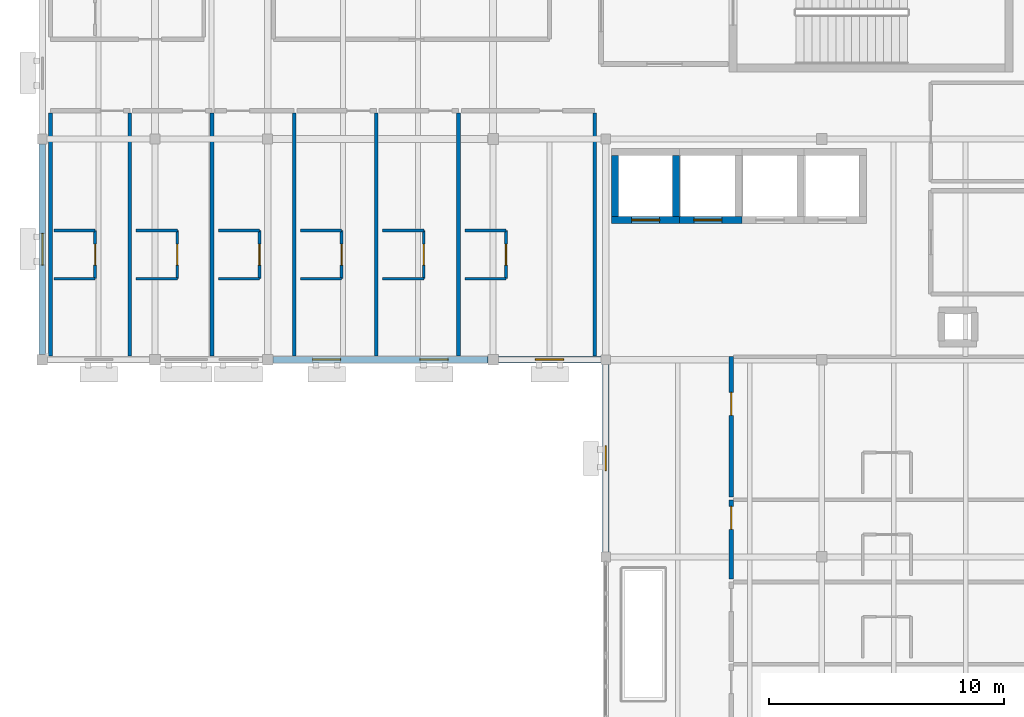
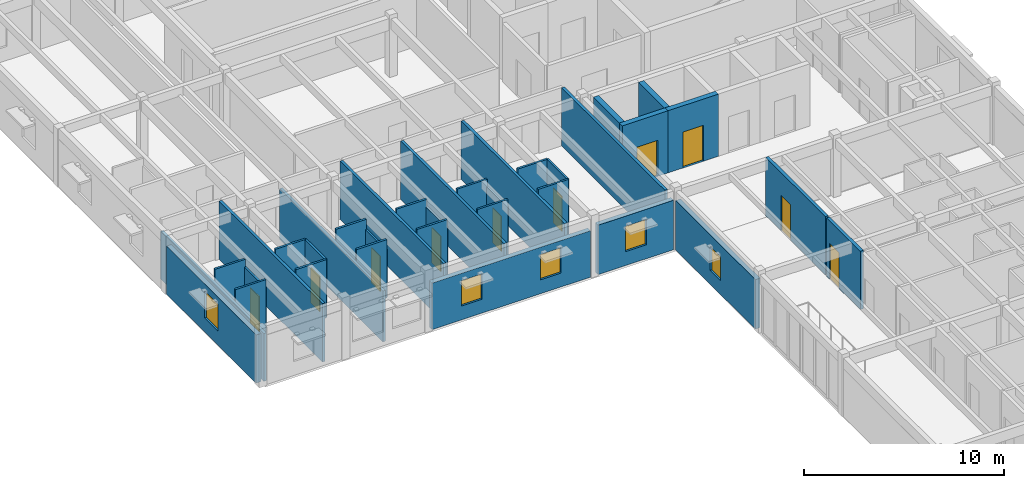
# One storey, part 8 of 17: 35 walls, 10 doors, 5 windows, 15 openings.
"""IFC4 building model written with IfcOpenShell, lengths in metres."""

from ifc_helpers import new_model, si_unit, direction, frame, frame_2d, origin, place, context, subcontext, project, spatial, rectangle, extrude, material, layer, layer_set, type_object, element, fill, save


model = new_model("IFC4")

# Units and contexts
model_context = context("Model", 3, precision=1e-05, world=origin(), true_north=direction((0.0, 1.0)))
body_context = subcontext(model_context, "Body", "Model", "MODEL_VIEW")
ifc_project = project(units=[si_unit("LENGTHUNIT", "METRE"), si_unit("AREAUNIT", "SQUARE_METRE"), si_unit("VOLUMEUNIT", "CUBIC_METRE"), si_unit("PLANEANGLEUNIT", "RADIAN"), si_unit("MASSUNIT", "GRAM", prefix="KILO")], contexts=[model_context])

# Site, building, storey
site_placement = place(None, origin())
site = spatial("IfcSite", under=ifc_project, at=site_placement, CompositionType="ELEMENT")
building_placement = place(site_placement, origin())
building = spatial("IfcBuilding", under=site, at=building_placement, Name="Veldera Park Congress Hotel", CompositionType="ELEMENT")
storey_placement = place(building_placement, frame((0.0, 0.0, 35.199951171875)))
storey = spatial("IfcBuildingStorey", under=building, at=storey_placement, Name="L08", CompositionType="ELEMENT", Elevation=35.199951171875)

# Wall, opening, window
ifc_material_1 = material(Name="Cross-laminated timber CLT V2M1.1", Category="wood")
ifc_layer_1 = layer(ifc_material_1, 0.280029296875)
ifc_layer_set_1 = layer_set([ifc_layer_1], Name="Cross-laminated timber CLT V2M1.1")
wall_type_1 = type_object("IfcWallType", Name="EW-CLT280", PredefinedType="STANDARD", material=ifc_layer_set_1)
wall_1_placement = place(storey_placement, frame((41.60009765625, 36.19189453125, 0.0), z_axis=(0.0, 0.0, 1.0), x_axis=(0.0, -1.0, 0.0)))
wall_1 = element("IfcWall", 1, at=wall_1_placement, inside=storey, type_object=wall_type_1, Name="L08 Exterior Wall EW3-L08-0387", PredefinedType="STANDARD", context=body_context, shape_type="SweptSolid", body=[
    extrude(rectangle(XDim=8.968994140625, YDim=0.280029296875, at=frame_2d((4.484375, 0.0))), origin(), (0.0, 0.0, 1.0), 2.93994140625),
])
opening_1_placement = place(wall_1_placement, frame((3.8095703125, 0.0, 0.85009765625)))
opening_1 = element("IfcOpeningElement", 2, at=opening_1_placement, cuts=wall_1, Name="Opening WIN-1350", PredefinedType="OPENING", context=body_context, shape_type="SweptSolid", body=[
    extrude(rectangle(XDim=1.35009765625, YDim=1.64990234375, at=frame_2d((0.675048828125, 0.824951171875))), frame((0.0, 0.152099609375, 0.0), z_axis=(0.0, -1.0, 0.0), x_axis=(1.0, 0.0, 0.0)), (0.0, 0.0, 1.0), 0.303955078125),
])
ifc_material_2 = material(Name="Low-E Triple Insulating Glass Unit (SHGC 0.22)", Category="glass")
window_type_1 = type_object("IfcWindowType", Name="WIN-1350", PartitioningType="SINGLE_PANEL", PredefinedType="WINDOW", material=ifc_material_2)
window_1_placement = place(opening_1_placement, origin())
window_1 = element("IfcWindow", 3, at=window_1_placement, inside=storey, type_object=window_type_1, Name="L08 Window WIN-1350 298", OverallHeight=1.64990234375, OverallWidth=1.35009765625, PartitioningType="SINGLE_PANEL", PredefinedType="WINDOW", context=body_context, shape_type="SweptSolid", body=[
    extrude(rectangle(XDim=1.35009765625, YDim=1.64990234375, at=frame_2d((0.675048828125, 0.824951171875))), frame((0.0, 0.030029296875, 0.0), z_axis=(0.0, -1.0, 0.0), x_axis=(1.0, 0.0, 0.0)), (0.0, 0.0, 1.0), 0.06005859375),
])
fill(opening_1, window_1)

# Wall, openings, windows
wall_2_placement = place(storey_placement, frame((51.423095703125, 27.0, 0.0), z_axis=(0.0, 0.0, 1.0), x_axis=(1.0, 0.0, 0.0)))
wall_2 = element("IfcWall", 4, at=wall_2_placement, inside=storey, type_object=wall_type_1, Name="L08 Exterior Wall EW3-L08-0390", PredefinedType="STANDARD", context=body_context, shape_type="SweptSolid", body=[
    extrude(rectangle(XDim=9.15380859375, YDim=0.280029296875, at=frame_2d((4.576904296875, 0.0))), origin(), (0.0, 0.0, 1.0), 2.840087890625),
])
opening_2_placement = place(wall_2_placement, frame((1.6884765625, 0.0, 0.85009765625)))
opening_2 = element("IfcOpeningElement", 5, at=opening_2_placement, cuts=wall_2, Name="Opening WIN-1200", PredefinedType="OPENING", context=body_context, shape_type="SweptSolid", body=[
    extrude(rectangle(XDim=1.199951171875, YDim=1.550048828125, at=frame_2d((0.60009765625, 0.77490234375))), frame((0.0, 0.152099609375, 0.0), z_axis=(0.0, -1.0, 0.0), x_axis=(1.0, 0.0, 0.0)), (0.0, 0.0, 1.0), 0.303955078125),
])
opening_3_placement = place(wall_2_placement, frame((6.265380859375, 0.0, 0.85009765625)))
opening_3 = element("IfcOpeningElement", 6, at=opening_3_placement, cuts=wall_2, Name="Opening WIN-1200", PredefinedType="OPENING", context=body_context, shape_type="SweptSolid", body=[
    extrude(rectangle(XDim=1.199951171875, YDim=1.550048828125, at=frame_2d((0.60009765625, 0.77490234375))), frame((0.0, 0.152099609375, 0.0), z_axis=(0.0, -1.0, 0.0), x_axis=(1.0, 0.0, 0.0)), (0.0, 0.0, 1.0), 0.303955078125),
])
window_type_2 = type_object("IfcWindowType", Name="WIN-1200", PartitioningType="SINGLE_PANEL", PredefinedType="WINDOW", material=ifc_material_2)
window_2_placement = place(opening_2_placement, origin())
window_2 = element("IfcWindow", 7, at=window_2_placement, inside=storey, type_object=window_type_2, Name="L08 Window WIN-1200 300", OverallHeight=1.550048828125, OverallWidth=1.199951171875, PartitioningType="SINGLE_PANEL", PredefinedType="WINDOW", context=body_context, shape_type="SweptSolid", body=[
    extrude(rectangle(XDim=1.199951171875, YDim=1.550048828125, at=frame_2d((0.60009765625, 0.77490234375))), frame((0.0, 0.030029296875, 0.0), z_axis=(0.0, -1.0, 0.0), x_axis=(1.0, 0.0, 0.0)), (0.0, 0.0, 1.0), 0.06005859375),
])
fill(opening_2, window_2)
window_3_placement = place(opening_3_placement, origin())
window_3 = element("IfcWindow", 8, at=window_3_placement, inside=storey, type_object=window_type_2, Name="L08 Window WIN-1200 301", OverallHeight=1.550048828125, OverallWidth=1.199951171875, PartitioningType="SINGLE_PANEL", PredefinedType="WINDOW", context=body_context, shape_type="SweptSolid", body=[
    extrude(rectangle(XDim=1.199951171875, YDim=1.550048828125, at=frame_2d((0.60009765625, 0.77490234375))), frame((0.0, 0.030029296875, 0.0), z_axis=(0.0, -1.0, 0.0), x_axis=(1.0, 0.0, 0.0)), (0.0, 0.0, 1.0), 0.06005859375),
])
fill(opening_3, window_3)

# Wall, opening, window
wall_3_placement = place(storey_placement, frame((61.02294921875, 27.0, 0.0), z_axis=(0.0, 0.0, 1.0), x_axis=(1.0, 0.0, 0.0)))
wall_3 = element("IfcWall", 9, at=wall_3_placement, inside=storey, type_object=wall_type_1, Name="L08 Exterior Wall EW3-L08-0391", PredefinedType="STANDARD", context=body_context, shape_type="SweptSolid", body=[
    extrude(rectangle(XDim=4.369140625, YDim=0.280029296875, at=frame_2d((2.1845703125, 0.0))), origin(), (0.0, 0.0, 1.0), 3.02001953125),
])
opening_4_placement = place(wall_3_placement, frame((1.58447265625, 0.0, 0.85009765625)))
opening_4 = element("IfcOpeningElement", 10, at=opening_4_placement, cuts=wall_3, Name="Opening WIN-1200", PredefinedType="OPENING", context=body_context, shape_type="SweptSolid", body=[
    extrude(rectangle(XDim=1.199951171875, YDim=1.550048828125, at=frame_2d((0.60009765625, 0.77490234375))), frame((0.0, 0.152099609375, 0.0), z_axis=(0.0, -1.0, 0.0), x_axis=(1.0, 0.0, 0.0)), (0.0, 0.0, 1.0), 0.303955078125),
])
window_4_placement = place(opening_4_placement, origin())
window_4 = element("IfcWindow", 11, at=window_4_placement, inside=storey, type_object=window_type_2, Name="L08 Window WIN-1200 302", OverallHeight=1.550048828125, OverallWidth=1.199951171875, PartitioningType="SINGLE_PANEL", PredefinedType="WINDOW", context=body_context, shape_type="SweptSolid", body=[
    extrude(rectangle(XDim=1.199951171875, YDim=1.550048828125, at=frame_2d((0.60009765625, 0.77490234375))), frame((0.0, 0.030029296875, 0.0), z_axis=(0.0, -1.0, 0.0), x_axis=(1.0, 0.0, 0.0)), (0.0, 0.0, 1.0), 0.06005859375),
])
fill(opening_4, window_4)

wall_4_placement = place(storey_placement, frame((65.60009765625, 26.7919921875, 0.0), z_axis=(0.0, 0.0, 1.0), x_axis=(0.0, -1.0, 0.0)))
wall_4 = element("IfcWall", 12, at=wall_4_placement, inside=storey, type_object=wall_type_1, Name="L08 Exterior Wall EW3-L08-0392", PredefinedType="STANDARD", context=body_context, shape_type="SweptSolid", body=[
    extrude(rectangle(XDim=7.98388671875, YDim=0.280029296875, at=frame_2d((3.991943359375, 0.0))), origin(), (0.0, 0.0, 1.0), 3.02001953125),
])
opening_5_placement = place(wall_4_placement, frame((3.467041015625, 0.0, 0.85009765625)))
opening_5 = element("IfcOpeningElement", 13, at=opening_5_placement, cuts=wall_4, Name="Opening WIN-1050", PredefinedType="OPENING", context=body_context, shape_type="SweptSolid", body=[
    extrude(rectangle(XDim=1.050048828125, YDim=1.449951171875, at=frame_2d((0.52490234375, 0.72509765625))), frame((0.0, 0.152099609375, 0.0), z_axis=(0.0, -1.0, 0.0), x_axis=(1.0, 0.0, 0.0)), (0.0, 0.0, 1.0), 0.303955078125),
])
window_type_3 = type_object("IfcWindowType", Name="WIN-1050", PartitioningType="SINGLE_PANEL", PredefinedType="WINDOW", material=ifc_material_2)
window_5_placement = place(opening_5_placement, origin())
window_5 = element("IfcWindow", 14, at=window_5_placement, inside=storey, type_object=window_type_3, Name="L08 Window WIN-1050 303", OverallHeight=1.449951171875, OverallWidth=1.050048828125, PartitioningType="SINGLE_PANEL", PredefinedType="WINDOW", context=body_context, shape_type="SweptSolid", body=[
    extrude(rectangle(XDim=1.050048828125, YDim=1.449951171875, at=frame_2d((0.52490234375, 0.72509765625))), frame((0.0, 0.030029296875, 0.0), z_axis=(0.0, -1.0, 0.0), x_axis=(1.0, 0.0, 0.0)), (0.0, 0.0, 1.0), 0.06005859375),
])
fill(opening_5, window_5)

# Wall
ifc_material_3 = material(Name="Fire-Rated Gypsum Board on Cold-Formed Steel Studs", Category="steel")
ifc_layer_2 = layer(ifc_material_3, 0.1201171875)
ifc_layer_set_2 = layer_set([ifc_layer_2], Name="Fire-Rated Gypsum Board on Cold-Formed Steel Studs")
wall_type_2 = type_object("IfcWallType", Name="IW-BATH120", PredefinedType="PARTITIONING", material=ifc_layer_set_2)
wall_5_placement = place(storey_placement, frame((42.10009765625, 32.5, 0.0), z_axis=(0.0, 0.0, 1.0), x_axis=(1.0, 0.0, 0.0)))
element("IfcWall", 15, at=wall_5_placement, inside=storey, type_object=wall_type_2, Name="L08 Partition Wall IW3-L08-01538", PredefinedType="PARTITIONING", context=body_context, shape_type="SweptSolid", body=[
    extrude(rectangle(XDim=1.75, YDim=0.1201171875, at=frame_2d((0.875, 0.0))), origin(), (0.0, 0.0, 1.0), 3.56494140625),
])

# Wall, opening, door
wall_6_placement = place(storey_placement, frame((43.85009765625, 30.449951171875, 0.0), z_axis=(0.0, 0.0, 1.0), x_axis=(0.0, 1.0, 0.0)))
wall_6 = element("IfcWall", 16, at=wall_6_placement, inside=storey, type_object=wall_type_2, Name="L08 Partition Wall IW3-L08-01539", PredefinedType="PARTITIONING", context=body_context, shape_type="SweptSolid", body=[
    extrude(rectangle(XDim=2.050048828125, YDim=0.1201171875, at=frame_2d((1.02490234375, 0.0))), origin(), (0.0, 0.0, 1.0), 3.110107421875),
])
opening_6_placement = place(wall_6_placement, frame((0.574951171875, 0.0, 0.0)))
opening_6 = element("IfcOpeningElement", 17, at=opening_6_placement, cuts=wall_6, Name="Opening ID-BATH090", PredefinedType="OPENING", context=body_context, shape_type="SweptSolid", body=[
    extrude(rectangle(XDim=0.89990234375, YDim=2.14990234375, at=frame_2d((0.449951171875, 1.074951171875))), frame((0.0, 0.072021484375, 0.0), z_axis=(0.0, -1.0, 0.0), x_axis=(1.0, 0.0, 0.0)), (0.0, 0.0, 1.0), 0.14404296875),
])
ifc_material_4 = material(Name="Solid Core White Oak Architectural Door", Category="wood")
door_type_1 = type_object("IfcDoorType", Name="ID-BATH090", OperationType="NOTDEFINED", PredefinedType="DOOR", material=ifc_material_4)
door_1_placement = place(opening_6_placement, origin())
door_1 = element("IfcDoor", 18, at=door_1_placement, inside=storey, type_object=door_type_1, Name="L08 En-suite 248 Door ID3-L08-0635 (DR3-ID3-L08-0635)", OperationType="SINGLE_SWING_LEFT", OverallHeight=2.14990234375, OverallWidth=0.89990234375, PredefinedType="DOOR", context=body_context, shape_type="SweptSolid", body=[
    extrude(rectangle(XDim=0.89990234375, YDim=2.14990234375, at=frame_2d((0.449951171875, 1.074951171875))), frame((0.0, 0.02490234375, 0.0), z_axis=(0.0, -1.0, 0.0), x_axis=(1.0, 0.0, 0.0)), (0.0, 0.0, 1.0), 0.050048828125),
])
fill(opening_6, door_1)

# Walls
for number, where, z_axis, x_axis, name in (
    (19, (42.10009765625, 30.449951171875, 0.0), (0.0, 0.0, 1.0), (1.0, 0.0, 0.0), "L08 Partition Wall IW3-L08-01540"),
    (20, (45.60009765625, 32.5, 0.0), (0.0, 0.0, 1.0), (1.0, 0.0, 0.0), "L08 Partition Wall IW3-L08-01543"),
):
    element("IfcWall", number, at=place(storey_placement, frame(where, z_axis=z_axis, x_axis=x_axis)), inside=storey, type_object=wall_type_2, Name=name, PredefinedType="PARTITIONING", context=body_context, shape_type="SweptSolid", body=[
        extrude(rectangle(XDim=1.75, YDim=0.1201171875, at=frame_2d((0.875, 0.0))), origin(), (0.0, 0.0, 1.0), 3.56494140625),
    ])

# Wall, opening, door
wall_7_placement = place(storey_placement, frame((47.35009765625, 30.449951171875, 0.0), z_axis=(0.0, 0.0, 1.0), x_axis=(0.0, 1.0, 0.0)))
wall_7 = element("IfcWall", 21, at=wall_7_placement, inside=storey, type_object=wall_type_2, Name="L08 Partition Wall IW3-L08-01544", PredefinedType="PARTITIONING", context=body_context, shape_type="SweptSolid", body=[
    extrude(rectangle(XDim=2.050048828125, YDim=0.1201171875, at=frame_2d((1.02490234375, 0.0))), origin(), (0.0, 0.0, 1.0), 3.56494140625),
])
opening_7_placement = place(wall_7_placement, frame((0.574951171875, 0.0, 0.0)))
opening_7 = element("IfcOpeningElement", 22, at=opening_7_placement, cuts=wall_7, Name="Opening ID-BATH090", PredefinedType="OPENING", context=body_context, shape_type="SweptSolid", body=[
    extrude(rectangle(XDim=0.89990234375, YDim=2.14990234375, at=frame_2d((0.449951171875, 1.074951171875))), frame((0.0, 0.072021484375, 0.0), z_axis=(0.0, -1.0, 0.0), x_axis=(1.0, 0.0, 0.0)), (0.0, 0.0, 1.0), 0.14404296875),
])
door_2_placement = place(opening_7_placement, origin())
door_2 = element("IfcDoor", 23, at=door_2_placement, inside=storey, type_object=door_type_1, Name="L08 En-suite 249 Door ID3-L08-0637 (DR3-ID3-L08-0637)", OperationType="SINGLE_SWING_LEFT", OverallHeight=2.14990234375, OverallWidth=0.89990234375, PredefinedType="DOOR", context=body_context, shape_type="SweptSolid", body=[
    extrude(rectangle(XDim=0.89990234375, YDim=2.14990234375, at=frame_2d((0.449951171875, 1.074951171875))), frame((0.0, 0.02490234375, 0.0), z_axis=(0.0, -1.0, 0.0), x_axis=(1.0, 0.0, 0.0)), (0.0, 0.0, 1.0), 0.050048828125),
])
fill(opening_7, door_2)

# Walls
for number, where, z_axis, x_axis, name in (
    (24, (45.60009765625, 30.449951171875, 0.0), (0.0, 0.0, 1.0), (1.0, 0.0, 0.0), "L08 Partition Wall IW3-L08-01545"),
    (25, (49.10009765625, 32.5, 0.0), (0.0, 0.0, 1.0), (1.0, 0.0, 0.0), "L08 Partition Wall IW3-L08-01548"),
):
    element("IfcWall", number, at=place(storey_placement, frame(where, z_axis=z_axis, x_axis=x_axis)), inside=storey, type_object=wall_type_2, Name=name, PredefinedType="PARTITIONING", context=body_context, shape_type="SweptSolid", body=[
        extrude(rectangle(XDim=1.75, YDim=0.1201171875, at=frame_2d((0.875, 0.0))), origin(), (0.0, 0.0, 1.0), 3.56494140625),
    ])

# Wall, opening, door
wall_8_placement = place(storey_placement, frame((50.85009765625, 30.449951171875, 0.0), z_axis=(0.0, 0.0, 1.0), x_axis=(0.0, 1.0, 0.0)))
wall_8 = element("IfcWall", 26, at=wall_8_placement, inside=storey, type_object=wall_type_2, Name="L08 Partition Wall IW3-L08-01549", PredefinedType="PARTITIONING", context=body_context, shape_type="SweptSolid", body=[
    extrude(rectangle(XDim=2.050048828125, YDim=0.1201171875, at=frame_2d((1.02490234375, 0.0))), origin(), (0.0, 0.0, 1.0), 2.93994140625),
])
opening_8_placement = place(wall_8_placement, frame((0.574951171875, 0.0, 0.0)))
opening_8 = element("IfcOpeningElement", 27, at=opening_8_placement, cuts=wall_8, Name="Opening ID-BATH090", PredefinedType="OPENING", context=body_context, shape_type="SweptSolid", body=[
    extrude(rectangle(XDim=0.89990234375, YDim=2.14990234375, at=frame_2d((0.449951171875, 1.074951171875))), frame((0.0, 0.072021484375, 0.0), z_axis=(0.0, -1.0, 0.0), x_axis=(1.0, 0.0, 0.0)), (0.0, 0.0, 1.0), 0.14404296875),
])
door_3_placement = place(opening_8_placement, origin())
door_3 = element("IfcDoor", 28, at=door_3_placement, inside=storey, type_object=door_type_1, Name="L08 En-suite 250 Door ID3-L08-0639 (DR3-ID3-L08-0639)", OperationType="SINGLE_SWING_LEFT", OverallHeight=2.14990234375, OverallWidth=0.89990234375, PredefinedType="DOOR", context=body_context, shape_type="SweptSolid", body=[
    extrude(rectangle(XDim=0.89990234375, YDim=2.14990234375, at=frame_2d((0.449951171875, 1.074951171875))), frame((0.0, 0.02490234375, 0.0), z_axis=(0.0, -1.0, 0.0), x_axis=(1.0, 0.0, 0.0)), (0.0, 0.0, 1.0), 0.050048828125),
])
fill(opening_8, door_3)

# Walls
for number, where, z_axis, x_axis, name in (
    (29, (49.10009765625, 30.449951171875, 0.0), (0.0, 0.0, 1.0), (1.0, 0.0, 0.0), "L08 Partition Wall IW3-L08-01550"),
    (30, (52.60009765625, 32.5, 0.0), (0.0, 0.0, 1.0), (1.0, 0.0, 0.0), "L08 Partition Wall IW3-L08-01553"),
):
    element("IfcWall", number, at=place(storey_placement, frame(where, z_axis=z_axis, x_axis=x_axis)), inside=storey, type_object=wall_type_2, Name=name, PredefinedType="PARTITIONING", context=body_context, shape_type="SweptSolid", body=[
        extrude(rectangle(XDim=1.75, YDim=0.1201171875, at=frame_2d((0.875, 0.0))), origin(), (0.0, 0.0, 1.0), 3.56494140625),
    ])

# Wall, opening, door
wall_9_placement = place(storey_placement, frame((54.35009765625, 30.449951171875, 0.0), z_axis=(0.0, 0.0, 1.0), x_axis=(0.0, 1.0, 0.0)))
wall_9 = element("IfcWall", 31, at=wall_9_placement, inside=storey, type_object=wall_type_2, Name="L08 Partition Wall IW3-L08-01554", PredefinedType="PARTITIONING", context=body_context, shape_type="SweptSolid", body=[
    extrude(rectangle(XDim=2.050048828125, YDim=0.1201171875, at=frame_2d((1.02490234375, 0.0))), origin(), (0.0, 0.0, 1.0), 3.110107421875),
])
opening_9_placement = place(wall_9_placement, frame((0.574951171875, 0.0, 0.0)))
opening_9 = element("IfcOpeningElement", 32, at=opening_9_placement, cuts=wall_9, Name="Opening ID-BATH090", PredefinedType="OPENING", context=body_context, shape_type="SweptSolid", body=[
    extrude(rectangle(XDim=0.89990234375, YDim=2.14990234375, at=frame_2d((0.449951171875, 1.074951171875))), frame((0.0, 0.072021484375, 0.0), z_axis=(0.0, -1.0, 0.0), x_axis=(1.0, 0.0, 0.0)), (0.0, 0.0, 1.0), 0.14404296875),
])
door_4_placement = place(opening_9_placement, origin())
door_4 = element("IfcDoor", 33, at=door_4_placement, inside=storey, type_object=door_type_1, Name="L08 En-suite 251 Door ID3-L08-0641 (DR3-ID3-L08-0641)", OperationType="SINGLE_SWING_LEFT", OverallHeight=2.14990234375, OverallWidth=0.89990234375, PredefinedType="DOOR", context=body_context, shape_type="SweptSolid", body=[
    extrude(rectangle(XDim=0.89990234375, YDim=2.14990234375, at=frame_2d((0.449951171875, 1.074951171875))), frame((0.0, 0.02490234375, 0.0), z_axis=(0.0, -1.0, 0.0), x_axis=(1.0, 0.0, 0.0)), (0.0, 0.0, 1.0), 0.050048828125),
])
fill(opening_9, door_4)

# Walls
for number, where, z_axis, x_axis, name in (
    (34, (52.60009765625, 30.449951171875, 0.0), (0.0, 0.0, 1.0), (1.0, 0.0, 0.0), "L08 Partition Wall IW3-L08-01555"),
    (35, (56.10009765625, 32.5, 0.0), (0.0, 0.0, 1.0), (1.0, 0.0, 0.0), "L08 Partition Wall IW3-L08-01558"),
):
    element("IfcWall", number, at=place(storey_placement, frame(where, z_axis=z_axis, x_axis=x_axis)), inside=storey, type_object=wall_type_2, Name=name, PredefinedType="PARTITIONING", context=body_context, shape_type="SweptSolid", body=[
        extrude(rectangle(XDim=1.75, YDim=0.1201171875, at=frame_2d((0.875, 0.0))), origin(), (0.0, 0.0, 1.0), 3.56494140625),
    ])

# Wall, opening, door
wall_10_placement = place(storey_placement, frame((57.85009765625, 30.449951171875, 0.0), z_axis=(0.0, 0.0, 1.0), x_axis=(0.0, 1.0, 0.0)))
wall_10 = element("IfcWall", 36, at=wall_10_placement, inside=storey, type_object=wall_type_2, Name="L08 Partition Wall IW3-L08-01559", PredefinedType="PARTITIONING", context=body_context, shape_type="SweptSolid", body=[
    extrude(rectangle(XDim=2.050048828125, YDim=0.1201171875, at=frame_2d((1.02490234375, 0.0))), origin(), (0.0, 0.0, 1.0), 3.110107421875),
])
opening_10_placement = place(wall_10_placement, frame((0.574951171875, 0.0, 0.0)))
opening_10 = element("IfcOpeningElement", 37, at=opening_10_placement, cuts=wall_10, Name="Opening ID-BATH090", PredefinedType="OPENING", context=body_context, shape_type="SweptSolid", body=[
    extrude(rectangle(XDim=0.89990234375, YDim=2.14990234375, at=frame_2d((0.449951171875, 1.074951171875))), frame((0.0, 0.072021484375, 0.0), z_axis=(0.0, -1.0, 0.0), x_axis=(1.0, 0.0, 0.0)), (0.0, 0.0, 1.0), 0.14404296875),
])
door_5_placement = place(opening_10_placement, origin())
door_5 = element("IfcDoor", 38, at=door_5_placement, inside=storey, type_object=door_type_1, Name="L08 En-suite 252 Door ID3-L08-0643 (DR3-ID3-L08-0643)", OperationType="SINGLE_SWING_LEFT", OverallHeight=2.14990234375, OverallWidth=0.89990234375, PredefinedType="DOOR", context=body_context, shape_type="SweptSolid", body=[
    extrude(rectangle(XDim=0.89990234375, YDim=2.14990234375, at=frame_2d((0.449951171875, 1.074951171875))), frame((0.0, 0.02490234375, 0.0), z_axis=(0.0, -1.0, 0.0), x_axis=(1.0, 0.0, 0.0)), (0.0, 0.0, 1.0), 0.050048828125),
])
fill(opening_10, door_5)

# Walls
for number, where, z_axis, x_axis, name in (
    (39, (56.10009765625, 30.449951171875, 0.0), (0.0, 0.0, 1.0), (1.0, 0.0, 0.0), "L08 Partition Wall IW3-L08-01560"),
    (40, (59.60009765625, 32.5, 0.0), (0.0, 0.0, 1.0), (1.0, 0.0, 0.0), "L08 Partition Wall IW3-L08-01563"),
):
    element("IfcWall", number, at=place(storey_placement, frame(where, z_axis=z_axis, x_axis=x_axis)), inside=storey, type_object=wall_type_2, Name=name, PredefinedType="PARTITIONING", context=body_context, shape_type="SweptSolid", body=[
        extrude(rectangle(XDim=1.75, YDim=0.1201171875, at=frame_2d((0.875, 0.0))), origin(), (0.0, 0.0, 1.0), 3.56494140625),
    ])

# Wall, opening, door
wall_11_placement = place(storey_placement, frame((61.35009765625, 30.449951171875, 0.0), z_axis=(0.0, 0.0, 1.0), x_axis=(0.0, 1.0, 0.0)))
wall_11 = element("IfcWall", 41, at=wall_11_placement, inside=storey, type_object=wall_type_2, Name="L08 Partition Wall IW3-L08-01564", PredefinedType="PARTITIONING", context=body_context, shape_type="SweptSolid", body=[
    extrude(rectangle(XDim=2.050048828125, YDim=0.1201171875, at=frame_2d((1.02490234375, 0.0))), origin(), (0.0, 0.0, 1.0), 3.56494140625),
])
opening_11_placement = place(wall_11_placement, frame((0.574951171875, 0.0, 0.0)))
opening_11 = element("IfcOpeningElement", 42, at=opening_11_placement, cuts=wall_11, Name="Opening ID-BATH090", PredefinedType="OPENING", context=body_context, shape_type="SweptSolid", body=[
    extrude(rectangle(XDim=0.89990234375, YDim=2.14990234375, at=frame_2d((0.449951171875, 1.074951171875))), frame((0.0, 0.072021484375, 0.0), z_axis=(0.0, -1.0, 0.0), x_axis=(1.0, 0.0, 0.0)), (0.0, 0.0, 1.0), 0.14404296875),
])
door_6_placement = place(opening_11_placement, origin())
door_6 = element("IfcDoor", 43, at=door_6_placement, inside=storey, type_object=door_type_1, Name="L08 En-suite 253 Door ID3-L08-0645 (DR3-ID3-L08-0645)", OperationType="SINGLE_SWING_LEFT", OverallHeight=2.14990234375, OverallWidth=0.89990234375, PredefinedType="DOOR", context=body_context, shape_type="SweptSolid", body=[
    extrude(rectangle(XDim=0.89990234375, YDim=2.14990234375, at=frame_2d((0.449951171875, 1.074951171875))), frame((0.0, 0.02490234375, 0.0), z_axis=(0.0, -1.0, 0.0), x_axis=(1.0, 0.0, 0.0)), (0.0, 0.0, 1.0), 0.050048828125),
])
fill(opening_11, door_6)

# Wall
wall_12_placement = place(storey_placement, frame((59.60009765625, 30.449951171875, 0.0), z_axis=(0.0, 0.0, 1.0), x_axis=(1.0, 0.0, 0.0)))
element("IfcWall", 44, at=wall_12_placement, inside=storey, type_object=wall_type_2, Name="L08 Partition Wall IW3-L08-01565", PredefinedType="PARTITIONING", context=body_context, shape_type="SweptSolid", body=[
    extrude(rectangle(XDim=1.75, YDim=0.1201171875, at=frame_2d((0.875, 0.0))), origin(), (0.0, 0.0, 1.0), 3.56494140625),
])

# Wall, opening, door
ifc_layer_3 = layer(ifc_material_3, 0.179931640625)
ifc_layer_set_3 = layer_set([ifc_layer_3], Name="Fire-Rated Gypsum Board on Cold-Formed Steel Studs")
wall_type_3 = type_object("IfcWallType", Name="IW-CORR180", PredefinedType="PARTITIONING", material=ifc_layer_set_3)
wall_13_placement = place(storey_placement, frame((70.949951171875, 21.030029296875, 0.0), z_axis=(0.0, 0.0, 1.0), x_axis=(0.0, -1.0, 0.0)))
wall_13 = element("IfcWall", 45, at=wall_13_placement, inside=storey, type_object=wall_type_3, Name="L08 Corridor Wall IW3-L08-01525", PredefinedType="PARTITIONING", context=body_context, shape_type="SweptSolid", body=[
    extrude(rectangle(XDim=3.380126953125, YDim=0.179931640625, at=frame_2d((1.68994140625, 0.0))), origin(), (0.0, 0.0, 1.0), 3.56494140625),
])
opening_12_placement = place(wall_13_placement, frame((0.280029296875, 0.0, 0.0)))
opening_12 = element("IfcOpeningElement", 46, at=opening_12_placement, cuts=wall_13, Name="Opening ID-UNIT098", PredefinedType="OPENING", context=body_context, shape_type="SweptSolid", body=[
    extrude(rectangle(XDim=0.97998046875, YDim=2.179931640625, at=frame_2d((0.489990234375, 1.08984375))), frame((0.0, 0.10205078125, 0.0), z_axis=(0.0, -1.0, 0.0), x_axis=(1.0, 0.0, 0.0)), (0.0, 0.0, 1.0), 0.203857421875),
])
door_type_2 = type_object("IfcDoorType", Name="ID-UNIT098", OperationType="NOTDEFINED", PredefinedType="DOOR", material=ifc_material_4)
door_7_placement = place(opening_12_placement, origin())
door_7 = element("IfcDoor", 47, at=door_7_placement, inside=storey, type_object=door_type_2, Name="L08 Guestroom 246 Entry Door (DR3-UD3-L08-246)", OperationType="SINGLE_SWING_RIGHT", OverallHeight=2.179931640625, OverallWidth=0.97998046875, PredefinedType="DOOR", context=body_context, shape_type="SweptSolid", body=[
    extrude(rectangle(XDim=0.97998046875, YDim=2.179931640625, at=frame_2d((0.489990234375, 1.08984375))), frame((0.0, 0.02490234375, 0.0), z_axis=(0.0, -1.0, 0.0), x_axis=(1.0, 0.0, 0.0)), (0.0, 0.0, 1.0), 0.050048828125),
])
fill(opening_12, door_7)

wall_14_placement = place(storey_placement, frame((70.949951171875, 27.1298828125, 0.0), z_axis=(0.0, 0.0, 1.0), x_axis=(0.0, -1.0, 0.0)))
wall_14 = element("IfcWall", 48, at=wall_14_placement, inside=storey, type_object=wall_type_3, Name="L08 Corridor Wall IW3-L08-01530", PredefinedType="PARTITIONING", context=body_context, shape_type="SweptSolid", body=[
    extrude(rectangle(XDim=5.97998046875, YDim=0.179931640625, at=frame_2d((2.989990234375, 0.0))), origin(), (0.0, 0.0, 1.0), 3.56494140625),
])
opening_13_placement = place(wall_14_placement, frame((1.52001953125, 0.0, 0.0)))
opening_13 = element("IfcOpeningElement", 49, at=opening_13_placement, cuts=wall_14, Name="Opening ID-UNIT098", PredefinedType="OPENING", context=body_context, shape_type="SweptSolid", body=[
    extrude(rectangle(XDim=0.97998046875, YDim=2.179931640625, at=frame_2d((0.489990234375, 1.08984375))), frame((0.0, 0.10205078125, 0.0), z_axis=(0.0, -1.0, 0.0), x_axis=(1.0, 0.0, 0.0)), (0.0, 0.0, 1.0), 0.203857421875),
])
door_8_placement = place(opening_13_placement, origin())
door_8 = element("IfcDoor", 50, at=door_8_placement, inside=storey, type_object=door_type_2, Name="L08 Guestroom 247 Entry Door (DR3-UD3-L08-247)", OperationType="SINGLE_SWING_RIGHT", OverallHeight=2.179931640625, OverallWidth=0.97998046875, PredefinedType="DOOR", context=body_context, shape_type="SweptSolid", body=[
    extrude(rectangle(XDim=0.97998046875, YDim=2.179931640625, at=frame_2d((0.489990234375, 1.08984375))), frame((0.0, 0.02490234375, 0.0), z_axis=(0.0, -1.0, 0.0), x_axis=(1.0, 0.0, 0.0)), (0.0, 0.0, 1.0), 0.050048828125),
])
fill(opening_13, door_8)

# Walls
ifc_layer_4 = layer(ifc_material_1, 0.159912109375)
ifc_layer_set_4 = layer_set([ifc_layer_4], Name="Cross-laminated timber CLT V2M1.1")
wall_type_4 = type_object("IfcWallType", Name="IW-UNIT160", PredefinedType="PARTITIONING", material=ifc_layer_set_4)
wall_15_placement = place(storey_placement, frame((41.949951171875, 27.159912109375, 0.0), z_axis=(0.0, 0.0, 1.0), x_axis=(0.0, 1.0, 0.0)))
element("IfcWall", 51, at=wall_15_placement, inside=storey, type_object=wall_type_4, Name="L08 Partition Wall IW3-L08-01536", PredefinedType="PARTITIONING", context=body_context, shape_type="SweptSolid", body=[
    extrude(rectangle(XDim=10.340087890625, YDim=0.159912109375, at=frame_2d((5.169921875, 0.0))), origin(), (0.0, 0.0, 1.0), 2.920166015625),
])
wall_16_placement = place(storey_placement, frame((45.330078125, 27.159912109375, 0.0), z_axis=(0.0, 0.0, 1.0), x_axis=(0.0, 1.0, 0.0)))
element("IfcWall", 52, at=wall_16_placement, inside=storey, type_object=wall_type_4, Name="L08 Partition Wall IW3-L08-01537", PredefinedType="PARTITIONING", context=body_context, shape_type="SweptSolid", body=[
    extrude(rectangle(XDim=10.340087890625, YDim=0.159912109375, at=frame_2d((5.169921875, 0.0))), origin(), (0.0, 0.0, 1.0), 3.56494140625),
])
wall_17_placement = place(storey_placement, frame((48.830078125, 27.159912109375, 0.0), z_axis=(0.0, 0.0, 1.0), x_axis=(0.0, 1.0, 0.0)))
element("IfcWall", 53, at=wall_17_placement, inside=storey, type_object=wall_type_4, Name="L08 Partition Wall IW3-L08-01542", PredefinedType="PARTITIONING", context=body_context, shape_type="SweptSolid", body=[
    extrude(rectangle(XDim=10.340087890625, YDim=0.159912109375, at=frame_2d((5.169921875, 0.0))), origin(), (0.0, 0.0, 1.0), 3.110107421875),
])
for number, where, z_axis, x_axis, name in (
    (54, (52.330078125, 27.159912109375, 0.0), (0.0, 0.0, 1.0), (0.0, 1.0, 0.0), "L08 Partition Wall IW3-L08-01547"),
    (55, (55.830078125, 27.159912109375, 0.0), (0.0, 0.0, 1.0), (0.0, 1.0, 0.0), "L08 Partition Wall IW3-L08-01552"),
    (56, (59.330078125, 27.159912109375, 0.0), (0.0, 0.0, 1.0), (0.0, 1.0, 0.0), "L08 Partition Wall IW3-L08-01557"),
    (57, (65.1298828125, 27.159912109375, 0.0), (0.0, 0.0, 1.0), (0.0, 1.0, 0.0), "L08 Partition Wall IW3-L08-01562"),
):
    element("IfcWall", number, at=place(storey_placement, frame(where, z_axis=z_axis, x_axis=x_axis)), inside=storey, type_object=wall_type_4, Name=name, PredefinedType="PARTITIONING", context=body_context, shape_type="SweptSolid", body=[
        extrude(rectangle(XDim=10.340087890625, YDim=0.159912109375, at=frame_2d((5.169921875, 0.0))), origin(), (0.0, 0.0, 1.0), 3.56494140625),
    ])

# Wall, opening, door
ifc_material_5 = material(Name="Concrete f'c 40 MPa (5,800 psi)", Category="concrete")
ifc_layer_5 = layer(ifc_material_5, 0.300048828125)
ifc_layer_set_5 = layer_set([ifc_layer_5], Name="Concrete f'c 40 MPa (5,800 psi)")
wall_type_5 = type_object("IfcWallType", Name="SW-SHFT300", PredefinedType="SHEAR", material=ifc_layer_set_5)
wall_18_placement = place(storey_placement, frame((65.85009765625, 32.949951171875, 0.0), z_axis=(0.0, 0.0, 1.0), x_axis=(1.0, 0.0, 0.0)))
wall_18 = element("IfcWall", 58, at=wall_18_placement, inside=storey, type_object=wall_type_5, Name="Lift PL-01 Shaft Wall L08-S", PredefinedType="SHEAR", context=body_context, shape_type="SweptSolid", body=[
    extrude(rectangle(XDim=2.89990234375, YDim=0.300048828125, at=frame_2d((1.449951171875, 0.0))), origin(), (0.0, 0.0, 1.0), 3.800048828125),
])
opening_14_placement = place(wall_18_placement, frame((0.85009765625, 0.0, 0.0)))
opening_14 = element("IfcOpeningElement", 59, at=opening_14_placement, cuts=wall_18, Name="Opening LD-120", PredefinedType="OPENING", context=body_context, shape_type="SweptSolid", body=[
    extrude(rectangle(XDim=1.199951171875, YDim=2.199951171875, at=frame_2d((0.60009765625, 1.10009765625))), frame((0.0, 0.162109375, 0.0), z_axis=(0.0, -1.0, 0.0), x_axis=(1.0, 0.0, 0.0)), (0.0, 0.0, 1.0), 0.323974609375),
])
ifc_material_6 = material(Name="Hollow Metal Fire-Rated Steel Door", Category="steel")
door_type_3 = type_object("IfcDoorType", Name="LD-120", OperationType="DOUBLE_DOOR_SLIDING", PredefinedType="DOOR", material=ifc_material_6)
door_9_placement = place(opening_14_placement, origin())
door_9 = element("IfcDoor", 60, at=door_9_placement, inside=storey, type_object=door_type_3, Name="L08 Lift PL-01 Landing Door (DR3-LD-PL-01-L08)", OperationType="DOUBLE_DOOR_SLIDING", OverallHeight=2.199951171875, OverallWidth=1.199951171875, PredefinedType="DOOR", context=body_context, shape_type="SweptSolid", body=[
    extrude(rectangle(XDim=1.199951171875, YDim=2.199951171875, at=frame_2d((0.60009765625, 1.10009765625))), frame((0.0, 0.02490234375, 0.0), z_axis=(0.0, -1.0, 0.0), x_axis=(1.0, 0.0, 0.0)), (0.0, 0.0, 1.0), 0.050048828125),
])
fill(opening_14, door_9)

# Walls
for number, where, z_axis, x_axis, name in (
    (61, (68.60009765625, 33.10009765625, 0.0), (0.0, 0.0, 1.0), (0.0, 1.0, 0.0), "Lift PL-01 Shaft Wall L08-E"),
    (62, (66.0, 35.699951171875, 0.0), (0.0, 0.0, 1.0), (0.0, -1.0, 0.0), "Lift PL-01 Shaft Wall L08-W"),
):
    element("IfcWall", number, at=place(storey_placement, frame(where, z_axis=z_axis, x_axis=x_axis)), inside=storey, type_object=wall_type_5, Name=name, PredefinedType="SHEAR", context=body_context, shape_type="SweptSolid", body=[
        extrude(rectangle(XDim=2.599853515625, YDim=0.300048828125, at=frame_2d((1.2998046875, 0.0))), origin(), (0.0, 0.0, 1.0), 3.800048828125),
    ])

# Wall, opening, door
wall_19_placement = place(storey_placement, frame((68.5, 32.949951171875, 0.0), z_axis=(0.0, 0.0, 1.0), x_axis=(1.0, 0.0, 0.0)))
wall_19 = element("IfcWall", 63, at=wall_19_placement, inside=storey, type_object=wall_type_5, Name="Lift PL-02 Shaft Wall L08-S", PredefinedType="SHEAR", context=body_context, shape_type="SweptSolid", body=[
    extrude(rectangle(XDim=2.89990234375, YDim=0.300048828125, at=frame_2d((1.449951171875, 0.0))), origin(), (0.0, 0.0, 1.0), 3.800048828125),
])
opening_15_placement = place(wall_19_placement, frame((0.85009765625, 0.0, 0.0)))
opening_15 = element("IfcOpeningElement", 64, at=opening_15_placement, cuts=wall_19, Name="Opening LD-120", PredefinedType="OPENING", context=body_context, shape_type="SweptSolid", body=[
    extrude(rectangle(XDim=1.199951171875, YDim=2.199951171875, at=frame_2d((0.60009765625, 1.10009765625))), frame((0.0, 0.162109375, 0.0), z_axis=(0.0, -1.0, 0.0), x_axis=(1.0, 0.0, 0.0)), (0.0, 0.0, 1.0), 0.323974609375),
])
door_10_placement = place(opening_15_placement, origin())
door_10 = element("IfcDoor", 65, at=door_10_placement, inside=storey, type_object=door_type_3, Name="L08 Lift PL-02 Landing Door (DR3-LD-PL-02-L08)", OperationType="DOUBLE_DOOR_SLIDING", OverallHeight=2.199951171875, OverallWidth=1.199951171875, PredefinedType="DOOR", context=body_context, shape_type="SweptSolid", body=[
    extrude(rectangle(XDim=1.199951171875, YDim=2.199951171875, at=frame_2d((0.60009765625, 1.10009765625))), frame((0.0, 0.02490234375, 0.0), z_axis=(0.0, -1.0, 0.0), x_axis=(1.0, 0.0, 0.0)), (0.0, 0.0, 1.0), 0.050048828125),
])
fill(opening_15, door_10)

save(model, "model.ifc")
